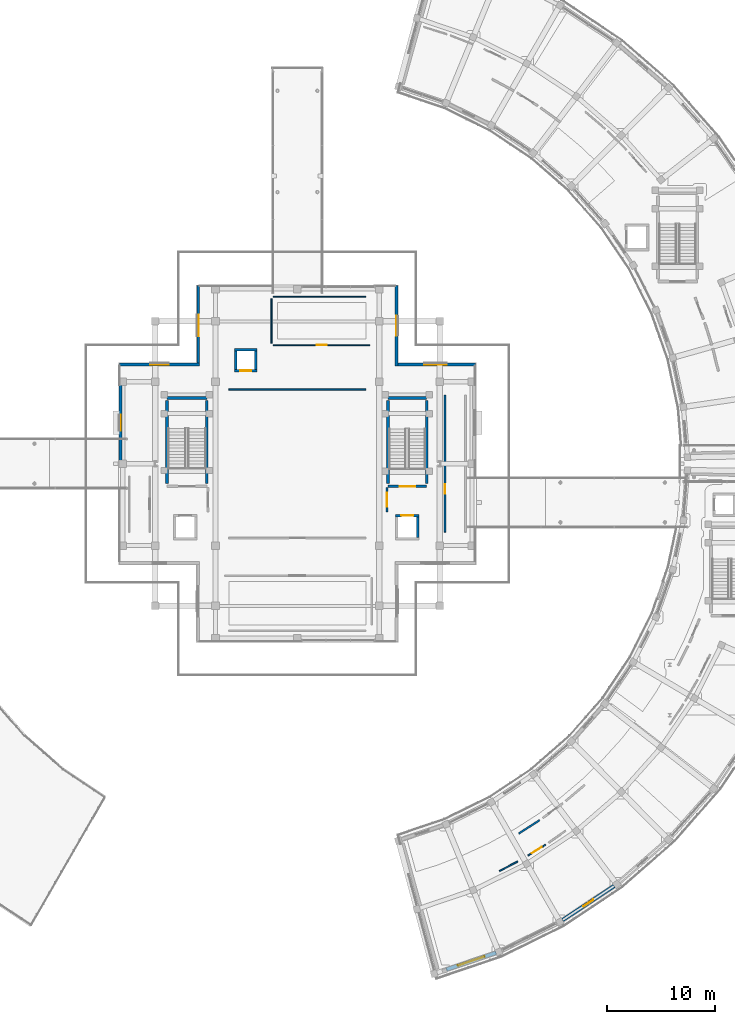
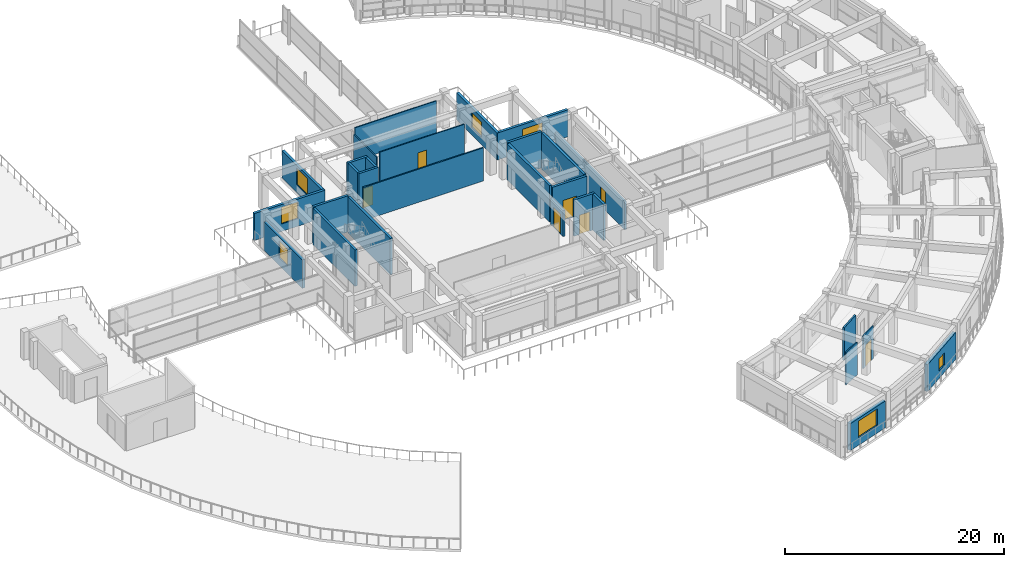
# One storey, part 35 of 53: 29 walls, 7 doors, 7 windows, 14 openings.
"""IFC4 building model written with IfcOpenShell, lengths in metres."""

from ifc_helpers import new_model, si_unit, direction, frame, frame_2d, origin, place, context, subcontext, project, spatial, rectangle, extrude, material, layer, layer_set, type_object, element, fill, save


model = new_model("IFC4")

# Units and contexts
model_context = context("Model", 3, precision=1e-05, world=origin(), true_north=direction((0.0, 1.0)))
body_context = subcontext(model_context, "Body", "Model", "MODEL_VIEW")
ifc_project = project(units=[si_unit("LENGTHUNIT", "METRE"), si_unit("AREAUNIT", "SQUARE_METRE"), si_unit("VOLUMEUNIT", "CUBIC_METRE"), si_unit("PLANEANGLEUNIT", "RADIAN"), si_unit("MASSUNIT", "GRAM", prefix="KILO")], contexts=[model_context])

# Site, building, storey
site_placement = place(None, origin())
site = spatial("IfcSite", under=ifc_project, at=site_placement, CompositionType="ELEMENT")
building_placement = place(site_placement, origin())
building = spatial("IfcBuilding", under=site, at=building_placement, Name="Saryqyr Civic Hall", CompositionType="ELEMENT")
storey_placement = place(building_placement, frame((0.0, 0.0, 21.300048828125)))
storey = spatial("IfcBuildingStorey", under=building, at=storey_placement, Name="L05", CompositionType="ELEMENT", Elevation=21.300048828125)

# Wall, opening, window
ifc_material_1 = material(Name="Precast concrete C40/50", Category="concrete")
ifc_layer_1 = layer(ifc_material_1, 0.27001953125, Name="Precast concrete C40/50")
ifc_layer_set_1 = layer_set([ifc_layer_1], Name="Precast concrete C40/50")
wall_type_1 = type_object("IfcWallType", Name="ENV-WAL-EXT-270", PredefinedType="STANDARD", material=ifc_layer_set_1)
wall_1_placement = place(storey_placement, frame((40.60009765625, 84.284912109375, 0.0), z_axis=(0.0, 0.0, 1.0), x_axis=(0.0, 1.0, 0.0)))
wall_1 = element("IfcWall", 1, at=wall_1_placement, inside=storey, type_object=wall_type_1, Name="Exterior wall V1-EW-L05-02", PredefinedType="STANDARD", context=body_context, shape_type="SweptSolid", body=[
    extrude(rectangle(XDim=7.030029296875, YDim=0.27001953125, at=frame_2d((3.51513671875, 0.0))), origin(), (0.0, 0.0, 1.0), 3.1650390625),
])
opening_1_placement = place(wall_1_placement, frame((2.764892578125, 0.0, 0.85009765625)))
opening_1 = element("IfcOpeningElement", 2, at=opening_1_placement, cuts=wall_1, Name="Opening W-26", PredefinedType="OPENING", context=body_context, shape_type="SweptSolid", body=[
    extrude(rectangle(XDim=1.5, YDim=1.85009765625, at=frame_2d((0.75, 0.925048828125))), frame((0.0, 0.14501953125, 0.0), z_axis=(0.0, -1.0, 0.0), x_axis=(1.0, 0.0, 0.0)), (0.0, 0.0, 1.0), 0.2900390625),
])
ifc_material_2 = material(Name="Anodised aluminium and triple low-E glass", Category="aluminium")
window_type_1 = type_object("IfcWindowType", Name="ENV-WIN-W26", PartitioningType="SINGLE_PANEL", PredefinedType="WINDOW", material=ifc_material_2)
window_1_placement = place(opening_1_placement, origin())
window_1 = element("IfcWindow", 3, at=window_1_placement, inside=storey, type_object=window_type_1, Name="Chamber cluster window L05-02", OverallHeight=1.85009765625, OverallWidth=1.5, PartitioningType="SINGLE_PANEL", PredefinedType="WINDOW", context=body_context, shape_type="SweptSolid", body=[
    extrude(rectangle(XDim=1.5, YDim=1.85009765625, at=frame_2d((0.75, 0.925048828125))), frame((0.0, 0.030029296875, 0.0), z_axis=(0.0, -1.0, 0.0), x_axis=(1.0, 0.0, 0.0)), (0.0, 0.0, 1.0), 0.06005859375),
])
fill(opening_1, window_1)

wall_2_placement = place(storey_placement, frame((40.47998046875, 93.199951171875, 0.0), z_axis=(0.0, 0.0, 1.0), x_axis=(1.0, 0.0, 0.0)))
wall_2 = element("IfcWall", 4, at=wall_2_placement, inside=storey, type_object=wall_type_1, Name="Exterior wall V1-EW-L05-03", PredefinedType="STANDARD", context=body_context, shape_type="SweptSolid", body=[
    extrude(rectangle(XDim=7.43994140625, YDim=0.27001953125, at=frame_2d((3.719970703125, 0.0))), origin(), (0.0, 0.0, 1.0), 3.014892578125),
])
opening_2_placement = place(wall_2_placement, frame((2.844970703125, 0.0, 0.85009765625)))
opening_2 = element("IfcOpeningElement", 5, at=opening_2_placement, cuts=wall_2, Name="Opening W-27", PredefinedType="OPENING", context=body_context, shape_type="SweptSolid", body=[
    extrude(rectangle(XDim=1.75, YDim=1.85009765625, at=frame_2d((0.875, 0.925048828125))), frame((0.0, 0.14501953125, 0.0), z_axis=(0.0, -1.0, 0.0), x_axis=(1.0, 0.0, 0.0)), (0.0, 0.0, 1.0), 0.2900390625),
])
window_type_2 = type_object("IfcWindowType", Name="ENV-WIN-W27", PartitioningType="SINGLE_PANEL", PredefinedType="WINDOW", material=ifc_material_2)
window_2_placement = place(opening_2_placement, origin())
window_2 = element("IfcWindow", 6, at=window_2_placement, inside=storey, type_object=window_type_2, Name="Chamber cluster window L05-03", OverallHeight=1.85009765625, OverallWidth=1.75, PartitioningType="SINGLE_PANEL", PredefinedType="WINDOW", context=body_context, shape_type="SweptSolid", body=[
    extrude(rectangle(XDim=1.75, YDim=1.85009765625, at=frame_2d((0.875, 0.925048828125))), frame((0.0, 0.030029296875, 0.0), z_axis=(0.0, -1.0, 0.0), x_axis=(1.0, 0.0, 0.0)), (0.0, 0.0, 1.0), 0.06005859375),
])
fill(opening_2, window_2)

wall_3_placement = place(storey_placement, frame((47.800048828125, 93.080078125, 0.0), z_axis=(0.0, 0.0, 1.0), x_axis=(0.0, 1.0, 0.0)))
wall_3 = element("IfcWall", 7, at=wall_3_placement, inside=storey, type_object=wall_type_1, Name="Exterior wall V1-EW-L05-04", PredefinedType="STANDARD", context=body_context, shape_type="SweptSolid", body=[
    extrude(rectangle(XDim=7.43994140625, YDim=0.27001953125, at=frame_2d((3.719970703125, 0.0))), origin(), (0.0, 0.0, 1.0), 3.014892578125),
])
opening_3_placement = place(wall_3_placement, frame((2.719970703125, 0.0, 0.85009765625)))
opening_3 = element("IfcOpeningElement", 8, at=opening_3_placement, cuts=wall_3, Name="Opening W-28", PredefinedType="OPENING", context=body_context, shape_type="SweptSolid", body=[
    extrude(rectangle(XDim=2.0, YDim=1.85009765625, at=frame_2d((1.0, 0.925048828125))), frame((0.0, 0.14501953125, 0.0), z_axis=(0.0, -1.0, 0.0), x_axis=(1.0, 0.0, 0.0)), (0.0, 0.0, 1.0), 0.2900390625),
])
window_type_3 = type_object("IfcWindowType", Name="ENV-WIN-W28", PartitioningType="SINGLE_PANEL", PredefinedType="WINDOW", material=ifc_material_2)
window_3_placement = place(opening_3_placement, origin())
window_3 = element("IfcWindow", 9, at=window_3_placement, inside=storey, type_object=window_type_3, Name="Chamber cluster window L05-04", OverallHeight=1.85009765625, OverallWidth=2.0, PartitioningType="SINGLE_PANEL", PredefinedType="WINDOW", context=body_context, shape_type="SweptSolid", body=[
    extrude(rectangle(XDim=2.0, YDim=1.85009765625, at=frame_2d((1.0, 0.925048828125))), frame((0.0, 0.030029296875, 0.0), z_axis=(0.0, -1.0, 0.0), x_axis=(1.0, 0.0, 0.0)), (0.0, 0.0, 1.0), 0.06005859375),
])
fill(opening_3, window_3)

wall_4_placement = place(storey_placement, frame((66.199951171875, 100.52001953125, 0.0), z_axis=(0.0, 0.0, 1.0), x_axis=(0.0, -1.0, 0.0)))
wall_4 = element("IfcWall", 10, at=wall_4_placement, inside=storey, type_object=wall_type_1, Name="Exterior wall V1-EW-L05-06", PredefinedType="STANDARD", context=body_context, shape_type="SweptSolid", body=[
    extrude(rectangle(XDim=7.43994140625, YDim=0.27001953125, at=frame_2d((3.719970703125, 0.0))), origin(), (0.0, 0.0, 1.0), 3.014892578125),
])
opening_4_placement = place(wall_4_placement, frame((2.794921875, 0.0, 0.85009765625)))
opening_4 = element("IfcOpeningElement", 11, at=opening_4_placement, cuts=wall_4, Name="Opening W-20", PredefinedType="OPENING", context=body_context, shape_type="SweptSolid", body=[
    extrude(rectangle(XDim=1.85009765625, YDim=1.64990234375, at=frame_2d((0.925048828125, 0.824951171875))), frame((0.0, 0.14501953125, 0.0), z_axis=(0.0, -1.0, 0.0), x_axis=(1.0, 0.0, 0.0)), (0.0, 0.0, 1.0), 0.2900390625),
])
window_type_4 = type_object("IfcWindowType", Name="ENV-WIN-W20", PartitioningType="SINGLE_PANEL", PredefinedType="WINDOW", material=ifc_material_2)
window_4_placement = place(opening_4_placement, origin())
window_4 = element("IfcWindow", 12, at=window_4_placement, inside=storey, type_object=window_type_4, Name="Chamber cluster window L05-06", OverallHeight=1.64990234375, OverallWidth=1.85009765625, PartitioningType="SINGLE_PANEL", PredefinedType="WINDOW", context=body_context, shape_type="SweptSolid", body=[
    extrude(rectangle(XDim=1.85009765625, YDim=1.64990234375, at=frame_2d((0.925048828125, 0.824951171875))), frame((0.0, 0.030029296875, 0.0), z_axis=(0.0, -1.0, 0.0), x_axis=(1.0, 0.0, 0.0)), (0.0, 0.0, 1.0), 0.06005859375),
])
fill(opening_4, window_4)

wall_5_placement = place(storey_placement, frame((66.080078125, 93.199951171875, 0.0), z_axis=(0.0, 0.0, 1.0), x_axis=(1.0, 0.0, 0.0)))
wall_5 = element("IfcWall", 13, at=wall_5_placement, inside=storey, type_object=wall_type_1, Name="Exterior wall V1-EW-L05-07", PredefinedType="STANDARD", context=body_context, shape_type="SweptSolid", body=[
    extrude(rectangle(XDim=7.43994140625, YDim=0.27001953125, at=frame_2d((3.719970703125, 0.0))), origin(), (0.0, 0.0, 1.0), 3.014892578125),
])
opening_5_placement = place(wall_5_placement, frame((2.669921875, 0.0, 0.85009765625)))
opening_5 = element("IfcOpeningElement", 14, at=opening_5_placement, cuts=wall_5, Name="Opening W-21", PredefinedType="OPENING", context=body_context, shape_type="SweptSolid", body=[
    extrude(rectangle(XDim=2.10009765625, YDim=1.64990234375, at=frame_2d((1.050048828125, 0.824951171875))), frame((0.0, 0.14501953125, 0.0), z_axis=(0.0, -1.0, 0.0), x_axis=(1.0, 0.0, 0.0)), (0.0, 0.0, 1.0), 0.2900390625),
])
window_type_5 = type_object("IfcWindowType", Name="ENV-WIN-W21", PartitioningType="SINGLE_PANEL", PredefinedType="WINDOW", material=ifc_material_2)
window_5_placement = place(opening_5_placement, origin())
window_5 = element("IfcWindow", 15, at=window_5_placement, inside=storey, type_object=window_type_5, Name="Chamber cluster window L05-07", OverallHeight=1.64990234375, OverallWidth=2.10009765625, PartitioningType="SINGLE_PANEL", PredefinedType="WINDOW", context=body_context, shape_type="SweptSolid", body=[
    extrude(rectangle(XDim=2.10009765625, YDim=1.64990234375, at=frame_2d((1.050048828125, 0.824951171875))), frame((0.0, 0.030029296875, 0.0), z_axis=(0.0, -1.0, 0.0), x_axis=(1.0, 0.0, 0.0)), (0.0, 0.0, 1.0), 0.06005859375),
])
fill(opening_5, window_5)

ifc_layer_2 = layer(ifc_material_1, 0.340087890625, Name="Precast concrete C40/50")
ifc_layer_set_2 = layer_set([ifc_layer_2], Name="Precast concrete C40/50")
wall_type_2 = type_object("IfcWallType", Name="ENV-WAL-EXT-340", PredefinedType="STANDARD", material=ifc_layer_set_2)
wall_6_placement = place(storey_placement, frame((75.44140625, 38.619384765625, 0.0), z_axis=(0.0, 0.0, 1.0), x_axis=(-0.947186506556, -0.320683210969, 0.0)))
wall_6 = element("IfcWall", 16, at=wall_6_placement, inside=storey, type_object=wall_type_2, Name="Exterior wall V5-EWO-L05-00", PredefinedType="STANDARD", context=body_context, shape_type="SweptSolid", body=[
    extrude(rectangle(XDim=4.87841796875, YDim=0.340087890625, at=frame_2d((2.439208984375, 0.0))), origin(), (0.0, 0.0, 1.0), 3.0048828125),
])
opening_6_placement = place(wall_6_placement, frame((1.138916015625, 0.0, 0.85009765625)))
opening_6 = element("IfcOpeningElement", 17, at=opening_6_placement, cuts=wall_6, Name="Opening W-30", PredefinedType="OPENING", context=body_context, shape_type="SweptSolid", body=[
    extrude(rectangle(XDim=2.60009765625, YDim=1.85009765625, at=frame_2d((1.300048828125, 0.925048828125))), frame((0.0, 0.179931640625, 0.0), z_axis=(0.0, -1.0, 0.0), x_axis=(1.0, 0.0, 0.0)), (0.0, 0.0, 1.0), 0.360107421875),
])
window_type_6 = type_object("IfcWindowType", Name="ENV-WIN-W30", PartitioningType="SINGLE_PANEL", PredefinedType="WINDOW", material=ifc_material_2)
window_6_placement = place(opening_6_placement, origin())
window_6 = element("IfcWindow", 18, at=window_6_placement, inside=storey, type_object=window_type_6, Name="Exterior ribbon window V5-L05-00", OverallHeight=1.85009765625, OverallWidth=2.60009765625, PartitioningType="SINGLE_PANEL", PredefinedType="WINDOW", context=body_context, shape_type="SweptSolid", body=[
    extrude(rectangle(XDim=2.60009765625, YDim=1.85009765625, at=frame_2d((1.300048828125, 0.925048828125))), frame((0.0, 0.030029296875, 0.0), z_axis=(0.0, -1.0, 0.0), x_axis=(1.0, 0.0, 0.0)), (0.0, 0.0, 1.0), 0.06005859375),
])
fill(opening_6, window_6)

wall_7_placement = place(storey_placement, frame((86.400634765625, 44.822265625, 0.0), z_axis=(0.0, 0.0, 1.0), x_axis=(-0.833772811773, -0.552107687276, 0.0)))
wall_7 = element("IfcWall", 19, at=wall_7_placement, inside=storey, type_object=wall_type_2, Name="Exterior wall V5-EWO-L05-02", PredefinedType="STANDARD", context=body_context, shape_type="SweptSolid", body=[
    extrude(rectangle(XDim=5.764892578125, YDim=0.340087890625, at=frame_2d((2.88232421875, 0.0))), origin(), (0.0, 0.0, 1.0), 3.0048828125),
])
opening_7_placement = place(wall_7_placement, frame((2.33203125, 0.0, 0.85009765625)))
opening_7 = element("IfcOpeningElement", 20, at=opening_7_placement, cuts=wall_7, Name="Opening W-01", PredefinedType="OPENING", context=body_context, shape_type="SweptSolid", body=[
    extrude(rectangle(XDim=1.10009765625, YDim=1.35009765625, at=frame_2d((0.550048828125, 0.675048828125))), frame((0.0, 0.179931640625, 0.0), z_axis=(0.0, -1.0, 0.0), x_axis=(1.0, 0.0, 0.0)), (0.0, 0.0, 1.0), 0.360107421875),
])
window_type_7 = type_object("IfcWindowType", Name="ENV-WIN-W01", PartitioningType="SINGLE_PANEL", PredefinedType="WINDOW", material=ifc_material_2)
window_7_placement = place(opening_7_placement, origin())
window_7 = element("IfcWindow", 21, at=window_7_placement, inside=storey, type_object=window_type_7, Name="Exterior ribbon window V5-L05-02", OverallHeight=1.35009765625, OverallWidth=1.10009765625, PartitioningType="SINGLE_PANEL", PredefinedType="WINDOW", context=body_context, shape_type="SweptSolid", body=[
    extrude(rectangle(XDim=1.10009765625, YDim=1.35009765625, at=frame_2d((0.550048828125, 0.675048828125))), frame((0.0, 0.030029296875, 0.0), z_axis=(0.0, -1.0, 0.0), x_axis=(1.0, 0.0, 0.0)), (0.0, 0.0, 1.0), 0.06005859375),
])
fill(opening_7, window_7)

# Wall, opening, door
ifc_material_3 = material(Name="Autoclaved aerated concrete blockwork", Category="masonry")
ifc_layer_3 = layer(ifc_material_3, 0.199951171875, Name="Autoclaved aerated concrete blockwork")
ifc_layer_set_3 = layer_set([ifc_layer_3], Name="Autoclaved aerated concrete blockwork")
wall_type_3 = type_object("IfcWallType", Name="INT-WAL-FIR-200", PredefinedType="PARTITIONING", material=ifc_layer_set_3)
wall_8_placement = place(storey_placement, frame((65.300048828125, 79.5, 0.0), z_axis=(0.0, 0.0, 1.0), x_axis=(0.0, 1.0, 0.0)))
wall_8 = element("IfcWall", 22, at=wall_8_placement, inside=storey, type_object=wall_type_3, Name="Firefighting lift lobby enclosure wall LF-02 L05", PredefinedType="PARTITIONING", context=body_context, shape_type="SweptSolid", body=[
    extrude(rectangle(XDim=2.300048828125, YDim=0.199951171875, at=frame_2d((1.14990234375, 0.0))), origin(), (0.0, 0.0, 1.0), 2.89990234375),
])
opening_8_placement = place(wall_8_placement, frame((0.5, 0.0, 0.0)))
opening_8 = element("IfcOpeningElement", 23, at=opening_8_placement, cuts=wall_8, Name="Opening FD-01", PredefinedType="OPENING", context=body_context, shape_type="SweptSolid", body=[
    extrude(rectangle(XDim=1.300048828125, YDim=2.199951171875, at=frame_2d((0.64990234375, 1.10009765625))), frame((0.0, 0.10986328125, 0.0), z_axis=(0.0, -1.0, 0.0), x_axis=(1.0, 0.0, 0.0)), (0.0, 0.0, 1.0), 0.219970703125),
])
ifc_material_4 = material(Name="Painted galvanized steel", Category="steel")
door_type_1 = type_object("IfcDoorType", Name="INT-DR-FFLOB-1300x2200", OperationType="NOTDEFINED", PredefinedType="DOOR", material=ifc_material_4)
door_1_placement = place(opening_8_placement, origin())
door_1 = element("IfcDoor", 24, at=door_1_placement, inside=storey, type_object=door_type_1, Name="Firefighting lift lobby smoke-control door LF-02 L05", OperationType="SINGLE_SWING_RIGHT", OverallHeight=2.199951171875, OverallWidth=1.300048828125, PredefinedType="DOOR", context=body_context, shape_type="SweptSolid", body=[
    extrude(rectangle(XDim=1.300048828125, YDim=2.199951171875, at=frame_2d((0.64990234375, 1.10009765625))), frame((0.0, 0.02490234375, 0.0), z_axis=(0.0, -1.0, 0.0), x_axis=(1.0, 0.0, 0.0)), (0.0, 0.0, 1.0), 0.050048828125),
])
fill(opening_8, door_1)

ifc_material_5 = material(Name="Moisture-resistant gypsum partition", Category="gypsum")
ifc_layer_4 = layer(ifc_material_5, 0.110107421875, Name="Moisture-resistant gypsum partition")
ifc_layer_set_4 = layer_set([ifc_layer_4], Name="Moisture-resistant gypsum partition")
wall_type_4 = type_object("IfcWallType", Name="INT-WAL-PRT-110", PredefinedType="PARTITIONING", material=ifc_layer_set_4)
wall_9_placement = place(storey_placement, frame((63.719970703125, 95.0, 0.0), z_axis=(0.0, 0.0, 1.0), x_axis=(-1.0, 0.0, 0.0)))
wall_9 = element("IfcWall", 25, at=wall_9_placement, inside=storey, type_object=wall_type_4, Name="Interior partition PRT-SP-V1-L05-R03-W1", PredefinedType="PARTITIONING", context=body_context, shape_type="SweptSolid", body=[
    extrude(rectangle(XDim=8.93994140625, YDim=0.110107421875, at=frame_2d((4.469970703125, 0.0))), origin(), (0.0, 0.0, 1.0), 3.699951171875),
])
opening_9_placement = place(wall_9_placement, frame((4.02001953125, 0.0, 0.0)))
opening_9 = element("IfcOpeningElement", 26, at=opening_9_placement, cuts=wall_9, Name="Opening D-09", PredefinedType="OPENING", context=body_context, shape_type="SweptSolid", body=[
    extrude(rectangle(XDim=0.89990234375, YDim=2.219970703125, at=frame_2d((0.449951171875, 1.10986328125))), frame((0.0, 0.06494140625, 0.0), z_axis=(0.0, -1.0, 0.0), x_axis=(1.0, 0.0, 0.0)), (0.0, 0.0, 1.0), 0.130126953125),
])
ifc_material_6 = material(Name="Acoustic solid-core oak veneer", Category="wood")
door_type_2 = type_object("IfcDoorType", Name="INT-DR-D-09", OperationType="NOTDEFINED", PredefinedType="DOOR", material=ifc_material_6)
door_2_placement = place(opening_9_placement, origin())
door_2 = element("IfcDoor", 27, at=door_2_placement, inside=storey, type_object=door_type_2, Name="Interior door Presidium & Speakers' Retiring Suite", OperationType="SINGLE_SWING_LEFT", OverallHeight=2.219970703125, OverallWidth=0.89990234375, PredefinedType="DOOR", context=body_context, shape_type="SweptSolid", body=[
    extrude(rectangle(XDim=0.89990234375, YDim=2.219970703125, at=frame_2d((0.449951171875, 1.10986328125))), frame((0.0, 0.02490234375, 0.0), z_axis=(0.0, -1.0, 0.0), x_axis=(1.0, 0.0, 0.0)), (0.0, 0.0, 1.0), 0.050048828125),
])
fill(opening_9, door_2)

# Walls
wall_10_placement = place(storey_placement, frame((54.60009765625, 95.179931640625, 0.0), z_axis=(0.0, 0.0, 1.0), x_axis=(0.0, 1.0, 0.0)))
element("IfcWall", 28, at=wall_10_placement, inside=storey, type_object=wall_type_4, Name="Interior partition PRT-SP-V1-L05-R03-W2", PredefinedType="PARTITIONING", context=body_context, shape_type="SweptSolid", body=[
    extrude(rectangle(XDim=4.14013671875, YDim=0.110107421875, at=frame_2d((2.070068359375, 0.0))), origin(), (0.0, 0.0, 1.0), 3.114990234375),
])
wall_11_placement = place(storey_placement, frame((54.780029296875, 99.5, 0.0), z_axis=(0.0, 0.0, 1.0), x_axis=(1.0, 0.0, 0.0)))
element("IfcWall", 29, at=wall_11_placement, inside=storey, type_object=wall_type_4, Name="Interior partition PRT-SP-V1-L05-R03-W3", PredefinedType="PARTITIONING", context=body_context, shape_type="SweptSolid", body=[
    extrude(rectangle(XDim=8.570068359375, YDim=0.110107421875, at=frame_2d((4.28515625, 0.0))), origin(), (0.0, 0.0, 1.0), 3.699951171875),
])

# Wall, opening, door
ifc_material_7 = material(Name="Metal-stud gypsum board partition", Category="gypsum")
ifc_layer_5 = layer(ifc_material_7, 0.125, Name="Metal-stud gypsum board partition")
ifc_layer_set_5 = layer_set([ifc_layer_5], Name="Metal-stud gypsum board partition")
wall_type_5 = type_object("IfcWallType", Name="INT-WAL-PRT-125", PredefinedType="PARTITIONING", material=ifc_layer_set_5)
wall_12_placement = place(storey_placement, frame((78.392822265625, 47.64013671875, 0.0), z_axis=(0.0, 0.0, 1.0), x_axis=(0.852483493525, 0.522754142276, 0.0)))
wall_12 = element("IfcWall", 30, at=wall_12_placement, inside=storey, type_object=wall_type_5, Name="Interior partition PRT-SP-V5-L05-R01-W1", PredefinedType="PARTITIONING", context=body_context, shape_type="SweptSolid", body=[
    extrude(rectangle(XDim=1.9072265625, YDim=0.125, at=frame_2d((0.95361328125, 0.0))), origin(), (0.0, 0.0, 1.0), 3.6298828125),
])
opening_10_placement = place(wall_12_placement, frame((0.404052734375, 0.0, 0.0)))
opening_10 = element("IfcOpeningElement", 31, at=opening_10_placement, cuts=wall_12, Name="Opening D-17", PredefinedType="OPENING", context=body_context, shape_type="SweptSolid", body=[
    extrude(rectangle(XDim=1.10009765625, YDim=2.35009765625, at=frame_2d((0.550048828125, 1.175048828125))), frame((0.0, 0.072509765625, 0.0), z_axis=(0.0, -1.0, 0.0), x_axis=(1.0, 0.0, 0.0)), (0.0, 0.0, 1.0), 0.14501953125),
])
door_type_3 = type_object("IfcDoorType", Name="INT-DR-D-17", OperationType="NOTDEFINED", PredefinedType="DOOR", material=ifc_material_6)
door_3_placement = place(opening_10_placement, origin())
door_3 = element("IfcDoor", 32, at=door_3_placement, inside=storey, type_object=door_type_3, Name="Interior door Council Political Group Suites East", OperationType="SINGLE_SWING_LEFT", OverallHeight=2.35009765625, OverallWidth=1.10009765625, PredefinedType="DOOR", context=body_context, shape_type="SweptSolid", body=[
    extrude(rectangle(XDim=1.10009765625, YDim=2.35009765625, at=frame_2d((0.550048828125, 1.175048828125))), frame((0.0, 0.02490234375, 0.0), z_axis=(0.0, -1.0, 0.0), x_axis=(1.0, 0.0, 0.0)), (0.0, 0.0, 1.0), 0.050048828125),
])
fill(opening_10, door_3)

# Walls
wall_13_placement = place(storey_placement, frame((75.753173828125, 46.20166015625, 0.0), z_axis=(0.0, 0.0, 1.0), x_axis=(0.883495017775, 0.468440554998, 0.0)))
element("IfcWall", 33, at=wall_13_placement, inside=storey, type_object=wall_type_5, Name="Interior partition PRT-SP-V5-L05-R01-W3", PredefinedType="PARTITIONING", context=body_context, shape_type="SweptSolid", body=[
    extrude(rectangle(XDim=1.906982421875, YDim=0.125, at=frame_2d((0.95361328125, 0.0))), origin(), (0.0, 0.0, 1.0), 3.6298828125),
])
ifc_layer_6 = layer(ifc_material_7, 0.139892578125, Name="Metal-stud gypsum board partition")
ifc_layer_set_6 = layer_set([ifc_layer_6], Name="Metal-stud gypsum board partition")
wall_type_6 = type_object("IfcWallType", Name="INT-WAL-PRT-140", PredefinedType="PARTITIONING", material=ifc_layer_set_6)
wall_14_placement = place(storey_placement, frame((50.64990234375, 90.89990234375, 0.0), z_axis=(0.0, 0.0, 1.0), x_axis=(1.0, 0.0, 0.0)))
element("IfcWall", 34, at=wall_14_placement, inside=storey, type_object=wall_type_6, Name="Interior partition PRT-SP-V1-L05-R01-W2", PredefinedType="PARTITIONING", context=body_context, shape_type="SweptSolid", body=[
    extrude(rectangle(XDim=12.7001953125, YDim=0.139892578125, at=frame_2d((6.35009765625, 0.0))), origin(), (0.0, 0.0, 1.0), 3.699951171875),
])
ifc_material_8 = material(Name="Acoustic double-stud gypsum board", Category="gypsum")
ifc_layer_7 = layer(ifc_material_8, 0.169921875, Name="Acoustic double-stud gypsum board")
ifc_layer_set_7 = layer_set([ifc_layer_7], Name="Acoustic double-stud gypsum board")
wall_type_7 = type_object("IfcWallType", Name="INT-WAL-PRT-170", PredefinedType="PARTITIONING", material=ifc_layer_set_7)
wall_15_placement = place(storey_placement, frame((79.472900390625, 50.91650390625, 0.0), z_axis=(0.0, 0.0, 1.0), x_axis=(-0.843009303059, -0.537898982111, 0.0)))
element("IfcWall", 35, at=wall_15_placement, inside=storey, type_object=wall_type_7, Name="Interior partition PRT-SP-V5-L05-R04-W2", PredefinedType="PARTITIONING", context=body_context, shape_type="SweptSolid", body=[
    extrude(rectangle(XDim=2.298828125, YDim=0.169921875, at=frame_2d((1.1494140625, 0.0))), origin(), (0.0, 0.0, 1.0), 3.6298828125),
])

# Wall, opening, door
wall_16_placement = place(storey_placement, frame((70.699951171875, 77.64990234375, 0.0), z_axis=(0.0, 0.0, 1.0), x_axis=(0.0, 1.0, 0.0)))
wall_16 = element("IfcWall", 36, at=wall_16_placement, inside=storey, type_object=wall_type_7, Name="Interior partition PRT-SP-V1-L05-R05-W1", PredefinedType="PARTITIONING", context=body_context, shape_type="SweptSolid", body=[
    extrude(rectangle(XDim=12.7001953125, YDim=0.169921875, at=frame_2d((6.35009765625, 0.0))), origin(), (0.0, 0.0, 1.0), 3.1650390625),
])
opening_11_placement = place(wall_16_placement, frame((3.5400390625, 0.0, 0.0)))
opening_11 = element("IfcOpeningElement", 37, at=opening_11_placement, cuts=wall_16, Name="Opening D-01", PredefinedType="OPENING", context=body_context, shape_type="SweptSolid", body=[
    extrude(rectangle(XDim=0.89990234375, YDim=2.10009765625, at=frame_2d((0.449951171875, 1.050048828125))), frame((0.0, 0.094970703125, 0.0), z_axis=(0.0, -1.0, 0.0), x_axis=(1.0, 0.0, 0.0)), (0.0, 0.0, 1.0), 0.18994140625),
])
door_type_4 = type_object("IfcDoorType", Name="INT-DR-D-01", OperationType="NOTDEFINED", PredefinedType="DOOR", material=ifc_material_6)
door_4_placement = place(opening_11_placement, origin())
door_4 = element("IfcDoor", 38, at=door_4_placement, inside=storey, type_object=door_type_4, Name="Interior door Members' Accessible MGN WC & Cloakroom L05", OperationType="SINGLE_SWING_LEFT", OverallHeight=2.10009765625, OverallWidth=0.89990234375, PredefinedType="DOOR", context=body_context, shape_type="SweptSolid", body=[
    extrude(rectangle(XDim=0.89990234375, YDim=2.10009765625, at=frame_2d((0.449951171875, 1.050048828125))), frame((0.0, 0.02490234375, 0.0), z_axis=(0.0, -1.0, 0.0), x_axis=(1.0, 0.0, 0.0)), (0.0, 0.0, 1.0), 0.050048828125),
])
fill(opening_11, door_4)

# Wall
ifc_material_9 = material(Name="Concrete C40/50", Category="concrete")
ifc_layer_8 = layer(ifc_material_9, 0.239990234375, Name="Concrete C40/50")
ifc_layer_set_8 = layer_set([ifc_layer_8], Name="Concrete C40/50")
wall_type_8 = type_object("IfcWallType", Name="INT-WAL-SHR-240", PredefinedType="SHEAR", material=ifc_layer_set_8)
wall_17_placement = place(storey_placement, frame((68.179931640625, 79.06005859375, 0.0), z_axis=(0.0, 0.0, 1.0), x_axis=(0.0, -1.0, 0.0)))
element("IfcWall", 39, at=wall_17_placement, inside=storey, type_object=wall_type_8, Name="Lift shaft shear wall LF-02-SHW-E-L05", PredefinedType="SHEAR", context=body_context, shape_type="SweptSolid", body=[
    extrude(rectangle(XDim=1.920166015625, YDim=0.239990234375, at=frame_2d((0.9599609375, 0.0))), origin(), (0.0, 0.0, 1.0), 4.050048828125),
])

# Wall, opening, door
wall_18_placement = place(storey_placement, frame((66.10009765625, 79.179931640625, 0.0), z_axis=(0.0, 0.0, 1.0), x_axis=(1.0, 0.0, 0.0)))
wall_18 = element("IfcWall", 40, at=wall_18_placement, inside=storey, type_object=wall_type_8, Name="Lift shaft shear wall LF-02-SHW-N-L05", PredefinedType="SHEAR", context=body_context, shape_type="SweptSolid", body=[
    extrude(rectangle(XDim=2.199951171875, YDim=0.239990234375, at=frame_2d((1.10009765625, 0.0))), origin(), (0.0, 0.0, 1.0), 4.050048828125),
])
opening_12_placement = place(wall_18_placement, frame((0.550048828125, 0.0, 0.0)))
opening_12 = element("IfcOpeningElement", 41, at=opening_12_placement, cuts=wall_18, Name="Opening LD-01", PredefinedType="OPENING", context=body_context, shape_type="SweptSolid", body=[
    extrude(rectangle(XDim=1.10009765625, YDim=2.14990234375, at=frame_2d((0.550048828125, 1.074951171875))), frame((0.0, 0.1298828125, 0.0), z_axis=(0.0, -1.0, 0.0), x_axis=(1.0, 0.0, 0.0)), (0.0, 0.0, 1.0), 0.260009765625),
])
ifc_material_10 = material(Name="Brushed stainless steel", Category="steel")
door_type_5 = type_object("IfcDoorType", Name="INT-DR-LD-1100x2150", OperationType="NOTDEFINED", PredefinedType="DOOR", material=ifc_material_10)
door_5_placement = place(opening_12_placement, origin())
door_5 = element("IfcDoor", 42, at=door_5_placement, inside=storey, type_object=door_type_5, Name="Lift sliding landing door LF-02 L05", OperationType="SLIDING_TO_RIGHT", OverallHeight=2.14990234375, OverallWidth=1.10009765625, PredefinedType="DOOR", context=body_context, shape_type="SweptSolid", body=[
    extrude(rectangle(XDim=1.10009765625, YDim=2.14990234375, at=frame_2d((0.550048828125, 1.074951171875))), frame((0.0, 0.02490234375, 0.0), z_axis=(0.0, -1.0, 0.0), x_axis=(1.0, 0.0, 0.0)), (0.0, 0.0, 1.0), 0.050048828125),
])
fill(opening_12, door_5)

wall_19_placement = place(storey_placement, frame((53.25, 92.6201171875, 0.0), z_axis=(0.0, 0.0, 1.0), x_axis=(-1.0, 0.0, 0.0)))
wall_19 = element("IfcWall", 43, at=wall_19_placement, inside=storey, type_object=wall_type_8, Name="Lift shaft shear wall LF-03-SHW-S-L05", PredefinedType="SHEAR", context=body_context, shape_type="SweptSolid", body=[
    extrude(rectangle(XDim=2.10009765625, YDim=0.239990234375, at=frame_2d((1.050048828125, 0.0))), origin(), (0.0, 0.0, 1.0), 4.050048828125),
])
opening_13_placement = place(wall_19_placement, frame((0.550048828125, 0.0, 0.0)))
opening_13 = element("IfcOpeningElement", 44, at=opening_13_placement, cuts=wall_19, Name="Opening LD-02", PredefinedType="OPENING", context=body_context, shape_type="SweptSolid", body=[
    extrude(rectangle(XDim=1.0, YDim=2.14990234375, at=frame_2d((0.5, 1.074951171875))), frame((0.0, 0.1298828125, 0.0), z_axis=(0.0, -1.0, 0.0), x_axis=(1.0, 0.0, 0.0)), (0.0, 0.0, 1.0), 0.260009765625),
])
door_type_6 = type_object("IfcDoorType", Name="INT-DR-LD-1000x2150", OperationType="NOTDEFINED", PredefinedType="DOOR", material=ifc_material_10)
door_6_placement = place(opening_13_placement, origin())
door_6 = element("IfcDoor", 45, at=door_6_placement, inside=storey, type_object=door_type_6, Name="Lift sliding landing door LF-03 L05", OperationType="SLIDING_TO_LEFT", OverallHeight=2.14990234375, OverallWidth=1.0, PredefinedType="DOOR", context=body_context, shape_type="SweptSolid", body=[
    extrude(rectangle(XDim=1.0, YDim=2.14990234375, at=frame_2d((0.5, 1.074951171875))), frame((0.0, 0.02490234375, 0.0), z_axis=(0.0, -1.0, 0.0), x_axis=(1.0, 0.0, 0.0)), (0.0, 0.0, 1.0), 0.050048828125),
])
fill(opening_13, door_6)

# Walls
wall_20_placement = place(storey_placement, frame((53.1298828125, 94.4599609375, 0.0), z_axis=(0.0, 0.0, 1.0), x_axis=(0.0, -1.0, 0.0)))
element("IfcWall", 46, at=wall_20_placement, inside=storey, type_object=wall_type_8, Name="Lift shaft shear wall LF-03-SHW-E-L05", PredefinedType="SHEAR", context=body_context, shape_type="SweptSolid", body=[
    extrude(rectangle(XDim=1.719970703125, YDim=0.239990234375, at=frame_2d((0.85986328125, 0.0))), origin(), (0.0, 0.0, 1.0), 4.050048828125),
])
wall_21_placement = place(storey_placement, frame((51.14990234375, 94.580078125, 0.0), z_axis=(0.0, 0.0, 1.0), x_axis=(1.0, 0.0, 0.0)))
element("IfcWall", 47, at=wall_21_placement, inside=storey, type_object=wall_type_8, Name="Lift shaft shear wall LF-03-SHW-N-L05", PredefinedType="SHEAR", context=body_context, shape_type="SweptSolid", body=[
    extrude(rectangle(XDim=2.10009765625, YDim=0.239990234375, at=frame_2d((1.050048828125, 0.0))), origin(), (0.0, 0.0, 1.0), 4.050048828125),
])
wall_22_placement = place(storey_placement, frame((51.27001953125, 92.739990234375, 0.0), z_axis=(0.0, 0.0, 1.0), x_axis=(0.0, 1.0, 0.0)))
element("IfcWall", 48, at=wall_22_placement, inside=storey, type_object=wall_type_8, Name="Lift shaft shear wall LF-03-SHW-W-L05", PredefinedType="SHEAR", context=body_context, shape_type="SweptSolid", body=[
    extrude(rectangle(XDim=1.719970703125, YDim=0.239990234375, at=frame_2d((0.85986328125, 0.0))), origin(), (0.0, 0.0, 1.0), 4.050048828125),
])
ifc_layer_9 = layer(ifc_material_9, 0.25, Name="Concrete C40/50")
ifc_layer_set_9 = layer_set([ifc_layer_9], Name="Concrete C40/50")
wall_type_9 = type_object("IfcWallType", Name="INT-WAL-SHR-250", PredefinedType="SHEAR", material=ifc_layer_set_9)
wall_23_placement = place(storey_placement, frame((44.89990234375, 82.14990234375, 0.0), z_axis=(0.0, 0.0, 1.0), x_axis=(0.0, 1.0, 0.0)))
element("IfcWall", 49, at=wall_23_placement, inside=storey, type_object=wall_type_9, Name="Protected stair shaft wall ST-1-SW2-L05", PredefinedType="SHEAR", context=body_context, shape_type="SweptSolid", body=[
    extrude(rectangle(XDim=7.7001953125, YDim=0.25, at=frame_2d((3.85009765625, 0.0))), origin(), (0.0, 0.0, 1.0), 4.050048828125),
])
wall_24_placement = place(storey_placement, frame((44.89990234375, 90.10009765625, 0.0), z_axis=(0.0, 0.0, 1.0), x_axis=(1.0, 0.0, 0.0)))
element("IfcWall", 50, at=wall_24_placement, inside=storey, type_object=wall_type_9, Name="Protected stair shaft wall ST-1-SW3-L05", PredefinedType="SHEAR", context=body_context, shape_type="SweptSolid", body=[
    extrude(rectangle(XDim=3.7001953125, YDim=0.25, at=frame_2d((1.85009765625, 0.0))), origin(), (0.0, 0.0, 1.0), 4.050048828125),
])
wall_25_placement = place(storey_placement, frame((48.60009765625, 89.85009765625, 0.0), z_axis=(0.0, 0.0, 1.0), x_axis=(0.0, -1.0, 0.0)))
element("IfcWall", 51, at=wall_25_placement, inside=storey, type_object=wall_type_9, Name="Protected stair shaft wall ST-1-SW4-L05", PredefinedType="SHEAR", context=body_context, shape_type="SweptSolid", body=[
    extrude(rectangle(XDim=7.7001953125, YDim=0.25, at=frame_2d((3.85009765625, 0.0))), origin(), (0.0, 0.0, 1.0), 4.050048828125),
])

# Wall, opening, door
wall_26_placement = place(storey_placement, frame((69.0, 81.89990234375, 0.0), z_axis=(0.0, 0.0, 1.0), x_axis=(-1.0, 0.0, 0.0)))
wall_26 = element("IfcWall", 52, at=wall_26_placement, inside=storey, type_object=wall_type_9, Name="Protected stair shaft wall ST-2-SW1-L05", PredefinedType="SHEAR", context=body_context, shape_type="SweptSolid", body=[
    extrude(rectangle(XDim=3.60009765625, YDim=0.25, at=frame_2d((1.800048828125, 0.0))), origin(), (0.0, 0.0, 1.0), 4.050048828125),
])
opening_14_placement = place(wall_26_placement, frame((1.074951171875, 0.0, 0.0)))
opening_14 = element("IfcOpeningElement", 53, at=opening_14_placement, cuts=wall_26, Name="Opening SD-02", PredefinedType="OPENING", context=body_context, shape_type="SweptSolid", body=[
    extrude(rectangle(XDim=1.449951171875, YDim=2.199951171875, at=frame_2d((0.72509765625, 1.10009765625))), frame((0.0, 0.135009765625, 0.0), z_axis=(0.0, -1.0, 0.0), x_axis=(1.0, 0.0, 0.0)), (0.0, 0.0, 1.0), 0.27001953125),
])
door_type_7 = type_object("IfcDoorType", Name="INT-DR-STAIR-1450x2200", OperationType="NOTDEFINED", PredefinedType="DOOR", material=ifc_material_4)
door_7_placement = place(opening_14_placement, origin())
door_7 = element("IfcDoor", 54, at=door_7_placement, inside=storey, type_object=door_type_7, Name="Exit stair landing fire door ST-2-L05", OperationType="SINGLE_SWING_RIGHT", OverallHeight=2.199951171875, OverallWidth=1.449951171875, PredefinedType="DOOR", context=body_context, shape_type="SweptSolid", body=[
    extrude(rectangle(XDim=1.449951171875, YDim=2.199951171875, at=frame_2d((0.72509765625, 1.10009765625))), frame((0.0, 0.02490234375, 0.0), z_axis=(0.0, -1.0, 0.0), x_axis=(1.0, 0.0, 0.0)), (0.0, 0.0, 1.0), 0.050048828125),
])
fill(opening_14, door_7)

# Walls
wall_27_placement = place(storey_placement, frame((65.39990234375, 82.14990234375, 0.0), z_axis=(0.0, 0.0, 1.0), x_axis=(0.0, 1.0, 0.0)))
element("IfcWall", 55, at=wall_27_placement, inside=storey, type_object=wall_type_9, Name="Protected stair shaft wall ST-2-SW2-L05", PredefinedType="SHEAR", context=body_context, shape_type="SweptSolid", body=[
    extrude(rectangle(XDim=7.7001953125, YDim=0.25, at=frame_2d((3.85009765625, 0.0))), origin(), (0.0, 0.0, 1.0), 4.050048828125),
])
wall_28_placement = place(storey_placement, frame((65.39990234375, 90.10009765625, 0.0), z_axis=(0.0, 0.0, 1.0), x_axis=(1.0, 0.0, 0.0)))
element("IfcWall", 56, at=wall_28_placement, inside=storey, type_object=wall_type_9, Name="Protected stair shaft wall ST-2-SW3-L05", PredefinedType="SHEAR", context=body_context, shape_type="SweptSolid", body=[
    extrude(rectangle(XDim=3.60009765625, YDim=0.25, at=frame_2d((1.800048828125, 0.0))), origin(), (0.0, 0.0, 1.0), 4.050048828125),
])
wall_29_placement = place(storey_placement, frame((69.0, 89.85009765625, 0.0), z_axis=(0.0, 0.0, 1.0), x_axis=(0.0, -1.0, 0.0)))
element("IfcWall", 57, at=wall_29_placement, inside=storey, type_object=wall_type_9, Name="Protected stair shaft wall ST-2-SW4-L05", PredefinedType="SHEAR", context=body_context, shape_type="SweptSolid", body=[
    extrude(rectangle(XDim=7.7001953125, YDim=0.25, at=frame_2d((3.85009765625, 0.0))), origin(), (0.0, 0.0, 1.0), 4.050048828125),
])

save(model, "model.ifc")
